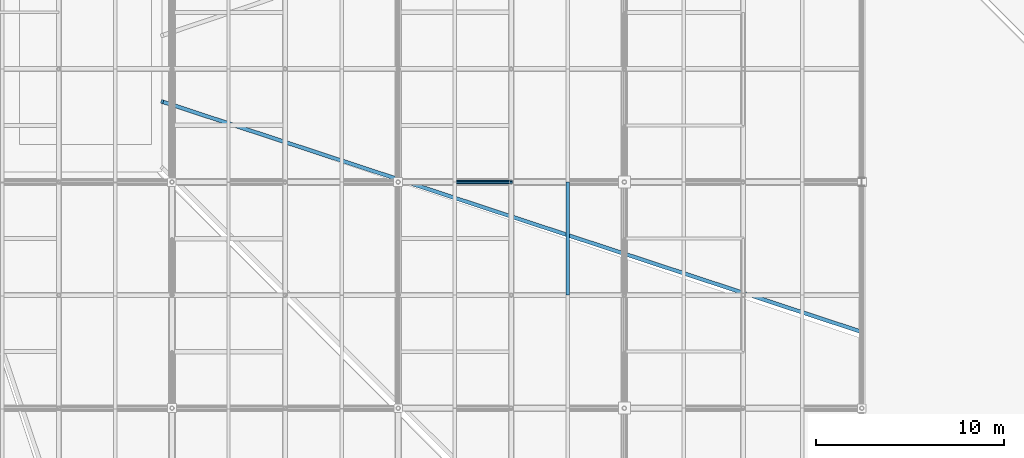
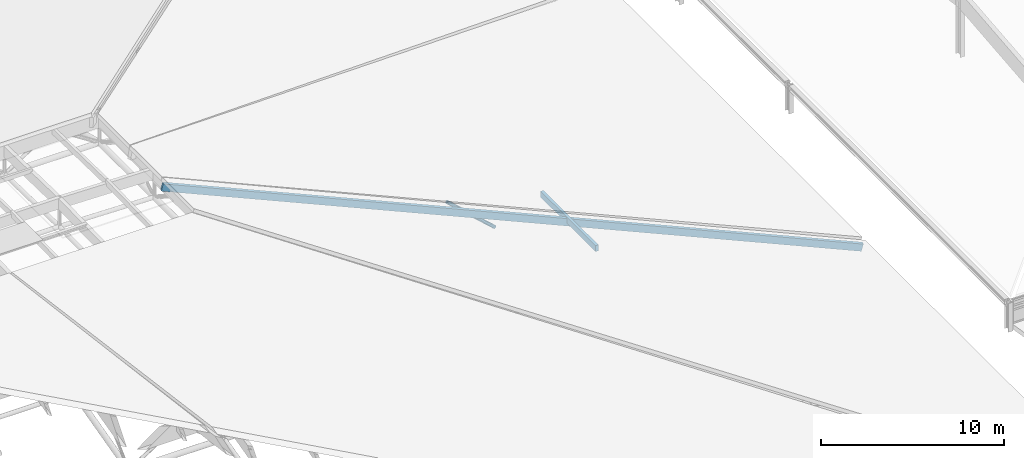
# One storey, part 38 of 80: 3 members.
"""IFC4 building model written with IfcOpenShell, lengths in metres."""

from ifc_helpers import new_model, si_unit, direction, frame, origin, origin_2d, place, context, subcontext, project, spatial, rectangle, hollow_circle, extrude, material, material_profile, profile_set, type_object, element, save


model = new_model("IFC4")

# Units and contexts
model_context = context("Model", 3, precision=1e-05, world=origin(), true_north=direction((0.0, 1.0)))
body_context = subcontext(model_context, "Body", "Model", "MODEL_VIEW")
ifc_project = project(units=[si_unit("LENGTHUNIT", "METRE"), si_unit("AREAUNIT", "SQUARE_METRE"), si_unit("VOLUMEUNIT", "CUBIC_METRE"), si_unit("PLANEANGLEUNIT", "RADIAN"), si_unit("MASSUNIT", "GRAM", prefix="KILO"), si_unit("THERMODYNAMICTEMPERATUREUNIT", "KELVIN"), si_unit("POWERUNIT", "WATT")], contexts=[model_context])

# Site, building, storey
site_placement = place(None, origin())
site = spatial("IfcSite", under=ifc_project, at=site_placement, CompositionType="ELEMENT")
building_placement = place(site_placement, origin())
building = spatial("IfcBuilding", under=site, at=building_placement, Name="Solmara Park Aquatics Centre", CompositionType="ELEMENT")
storey_placement = place(building_placement, frame((0.0, 0.0, 22.800048828125)))
storey = spatial("IfcBuildingStorey", under=building, at=storey_placement, Name="RF", CompositionType="ELEMENT", Elevation=22.800048828125)

# Members
ifc_material_1 = material(Name="Structural Steel S355", Category="steel")
ifc_material_profile_1 = material_profile(ifc_material_1, hollow_circle(Radius=0.109619140625, WallThickness=0.010009765625, at=origin_2d()), Name="CHS 219.1x10")
ifc_profile_set_1 = profile_set([ifc_material_profile_1], Name="Structural Steel S355")
member_type_1 = type_object("IfcMemberType", Name="STR-BRC-CHS219", PredefinedType="BRACE", material=ifc_profile_set_1)
member_1_placement = place(storey_placement, frame((90.60009765625, 36.60009765625, -9.58984375), z_axis=(-0.741347083846, 0.0, 0.671121822974), x_axis=(0.0, -1.0, 0.0)))
element("IfcMember", 1, at=member_1_placement, inside=storey, type_object=member_type_1, Name="Roof Truss Web Diagonal X 1758", PredefinedType="BRACE", context=body_context, shape_type="SweptSolid", body=[
    extrude(hollow_circle(Radius=0.109619140625, WallThickness=0.010009765625, at=origin_2d()), origin(), (0.0, 0.0, 1.0), 4.046630859375),
])
ifc_material_2 = material(Name="Glulam Timber GL28h", Category="wood")
ifc_material_profile_2 = material_profile(ifc_material_2, rectangle(XDim=0.179931640625, YDim=0.39990234375, at=origin_2d()), Name="GL28h 180x400")
ifc_profile_set_2 = profile_set([ifc_material_profile_2], Name="Glulam Timber GL28h")
member_type_2 = type_object("IfcMemberType", Name="STR-PRL-GL180x400", PredefinedType="PURLIN", material=ifc_profile_set_2)
member_2_placement = place(storey_placement, frame((93.60009765625, 30.60009765625, -8.425537109375), z_axis=(0.0, 1.0, 0.0), x_axis=(-1.0, 0.0, 0.0)))
element("IfcMember", 2, at=member_2_placement, inside=storey, type_object=member_type_2, Name="Glulam Roof Purlin 1770", PredefinedType="PURLIN", context=body_context, shape_type="SweptSolid", body=[
    extrude(rectangle(XDim=0.179931640625, YDim=0.39990234375, at=origin_2d()), origin(), (0.0, 0.0, 1.0), 6.0),
])
ifc_material_profile_3 = material_profile(ifc_material_2, rectangle(XDim=0.199951171875, YDim=0.47998046875, at=origin_2d()), Name="GL28h 200x480")
ifc_profile_set_3 = profile_set([ifc_material_profile_3], Name="Glulam Timber GL28h")
member_type_3 = type_object("IfcMemberType", Name="STR-RFT-GL200x480", PredefinedType="RAFTER", material=ifc_profile_set_3)
member_3_placement = place(storey_placement, frame((109.199951171875, 28.642822265625, -12.60009765625), z_axis=(-0.922394755126, 0.303776382822, 0.238553610236), x_axis=(-0.312807340408, -0.949816596921, 0.0)))
element("IfcMember", 3, at=member_3_placement, inside=storey, type_object=member_type_3, Name="Glulam Hip Jack Rafter EAST-2", PredefinedType="RAFTER", context=body_context, shape_type="SweptSolid", body=[
    extrude(rectangle(XDim=0.199951171875, YDim=0.47998046875, at=origin_2d()), origin(), (0.0, 0.0, 1.0), 40.242919921875),
])

save(model, "model.ifc")
